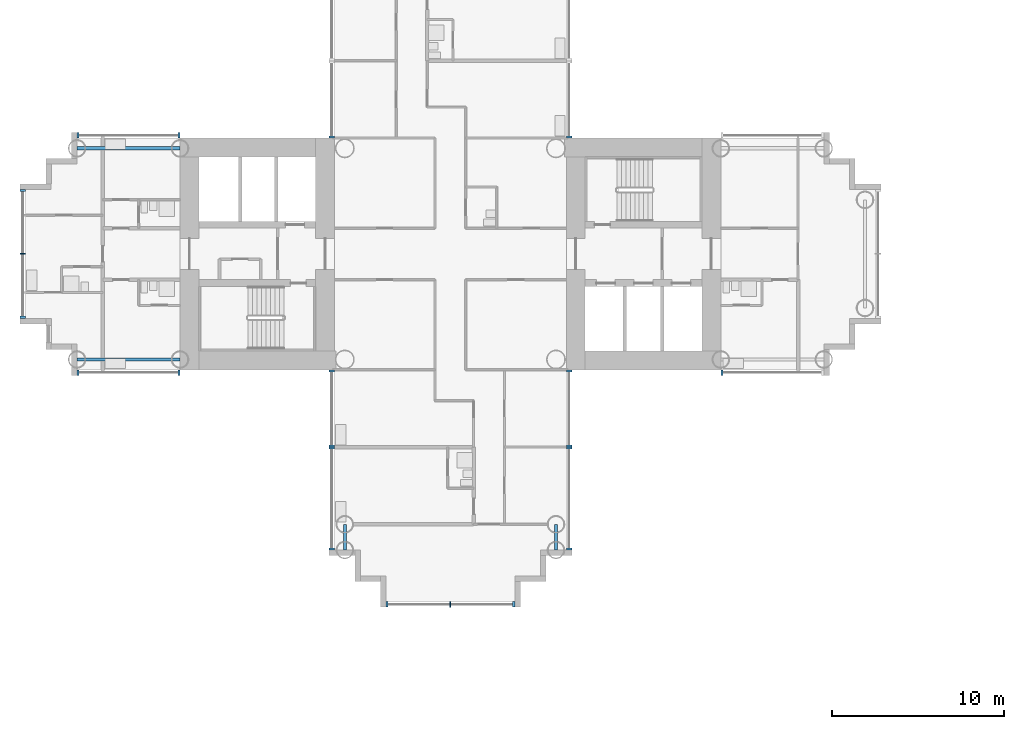
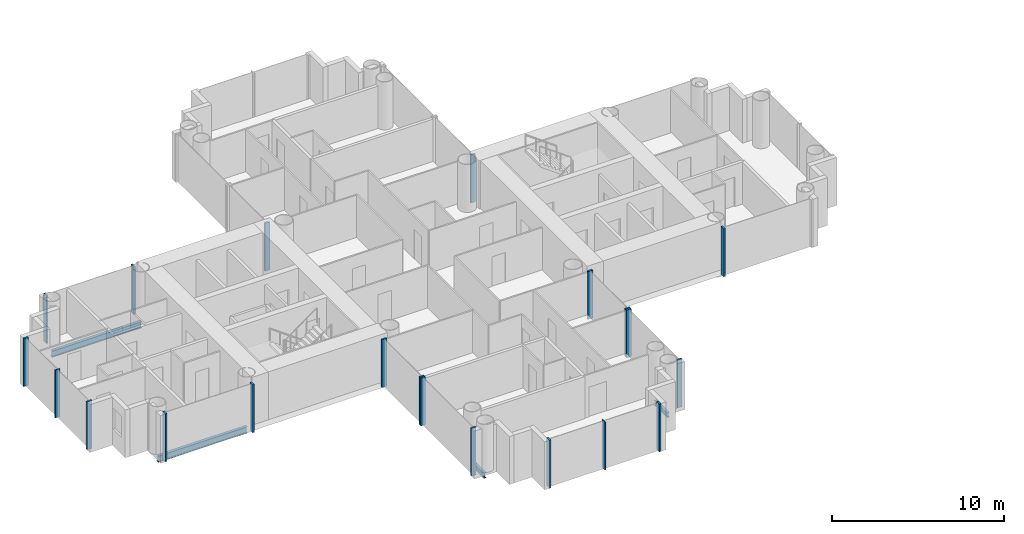
# One storey, part 3 of 21: 21 members, 4 beams, 11 elements without a shape of their own.
"""IFC4 building model written with IfcOpenShell, lengths in metres."""

from ifc_helpers import new_model, si_unit, direction, frame, origin, origin_2d, place, context, subcontext, project, spatial, rectangle, i_section, extrude, material, layer, layer_set, material_profile, profile_set, type_object, element, aggregate, save


model = new_model("IFC4")

# Units and contexts
model_context = context("Model", 3, precision=1e-05, world=origin(), true_north=direction((0.0, 1.0)))
body_context = subcontext(model_context, "Body", "Model", "MODEL_VIEW")
ifc_project = project(units=[si_unit("LENGTHUNIT", "METRE"), si_unit("AREAUNIT", "SQUARE_METRE"), si_unit("VOLUMEUNIT", "CUBIC_METRE"), si_unit("PLANEANGLEUNIT", "RADIAN"), si_unit("MASSUNIT", "GRAM", prefix="KILO")], contexts=[model_context])

# Site, building, storey
site_placement = place(None, origin())
site = spatial("IfcSite", under=ifc_project, at=site_placement, CompositionType="ELEMENT")
building_placement = place(site_placement, origin())
building = spatial("IfcBuilding", under=site, at=building_placement, Name="Ipe Terrace Towers", CompositionType="ELEMENT")
storey_placement = place(building_placement, frame((0.0, 0.0, 34.699951171875)))
storey = spatial("IfcBuildingStorey", under=building, at=storey_placement, Name="L08", CompositionType="ELEMENT", Elevation=34.699951171875)

# Beams
ifc_material_1 = material(Name="Steel S355", Category="steel")
ifc_material_profile_1 = material_profile(ifc_material_1, i_section(OverallWidth=0.175048828125, OverallDepth=0.35009765625, WebThickness=0.007080078125, FlangeThickness=0.010986328125, at=origin_2d()), Name="H-350x175x7x11")
ifc_profile_set_1 = profile_set([ifc_material_profile_1], Name="Steel S355")
beam_type_1 = type_object("IfcBeamType", Name="H04 EDGE BEAM H-350x175x7x11", PredefinedType="BEAM", material=ifc_profile_set_1)
for number, where, z_axis, x_axis, name in (
    (1, (-42.14990234375, -15.75, -0.574951171875), (0.0, -1.0, 0.0), (1.0, 0.0, 0.0), "Edge beam T1-EB-D03-D05"),
    (2, (-29.85009765625, -15.75, -0.574951171875), (0.0, -1.0, 0.0), (1.0, 0.0, 0.0), "Edge beam T1-EB-D04-D06"),
):
    element("IfcBeam", number, at=place(storey_placement, frame(where, z_axis=z_axis, x_axis=x_axis)), inside=storey, type_object=beam_type_1, Name=name, PredefinedType="BEAM", context=body_context, shape_type="SweptSolid", body=[
        extrude(i_section(OverallWidth=0.175048828125, OverallDepth=0.35009765625, WebThickness=0.007080078125, FlangeThickness=0.010986328125, at=origin_2d()), origin(), (0.0, 0.0, 1.0), 1.5),
    ])
ifc_material_2 = material(Name="Steel S355", Category="steel")
ifc_material_profile_2 = material_profile(ifc_material_2, i_section(OverallWidth=0.199951171875, OverallDepth=0.449951171875, WebThickness=0.009033203125, FlangeThickness=0.013916015625, at=origin_2d()), Name="H-450x200x9x14")
ifc_profile_set_2 = profile_set([ifc_material_profile_2], Name="Steel S355")
beam_type_2 = type_object("IfcBeamType", Name="H08 EDGE BEAM H-450x200x9x14", PredefinedType="BEAM", material=ifc_profile_set_2)
for number, where, z_axis, x_axis, name in (
    (3, (-51.75, -6.14990234375, -0.625), (-1.0, 0.0, 0.0), (0.0, -1.0, 0.0), "Edge beam T1-EB-C01-C03"),
    (4, (-51.75, 6.14990234375, -0.625), (-1.0, 0.0, 0.0), (0.0, -1.0, 0.0), "Edge beam T1-EB-C02-C04"),
):
    element("IfcBeam", number, at=place(storey_placement, frame(where, z_axis=z_axis, x_axis=x_axis)), inside=storey, type_object=beam_type_2, Name=name, PredefinedType="BEAM", context=body_context, shape_type="SweptSolid", body=[
        extrude(i_section(OverallWidth=0.199951171875, OverallDepth=0.449951171875, WebThickness=0.009033203125, FlangeThickness=0.013916015625, at=origin_2d()), origin(), (0.0, 0.0, 1.0), 6.0),
    ])

# Curtain wall, members
ifc_material_3 = material(Name="Aluminium alloy 6063-T6", Category="aluminium")
ifc_layer = layer(ifc_material_3, 0.320068359375)
ifc_layer_set = layer_set([ifc_layer], Name="TOWER UNITISED CURTAIN WALL")
curtain_wall_type = type_object("IfcCurtainWallType", Name="TOWER UNITISED CURTAIN WALL", PredefinedType="NOTDEFINED", material=ifc_layer_set)
curtain_wall_1_placement = place(storey_placement, origin())
curtain_wall_1 = element("IfcCurtainWall", 5, at=curtain_wall_1_placement, inside=storey, type_object=curtain_wall_type, Name="T1-CW-L08-04a curtain wall", PredefinedType="NOTDEFINED")
ifc_material_4 = material(Name="Aluminium alloy 6063-T6", Category="aluminium")
ifc_material_profile_3 = material_profile(ifc_material_4, rectangle(XDim=0.320068359375, YDim=0.1201171875, at=origin_2d()), Name="TOWER UNITISED CORNER MULLION 320 x 120")
ifc_profile_set_3 = profile_set([ifc_material_profile_3], Name="Aluminium alloy 6063-T6")
member_type_1 = type_object("IfcMemberType", Name="TOWER UNITISED CORNER MULLION 320 x 120", PredefinedType="MULLION", material=ifc_profile_set_3)
member_1_placement = place(storey_placement, frame((-57.68994140625, -6.909912109375, -0.300048828125), z_axis=(0.0, 0.0, 1.0), x_axis=(0.0, -1.0, 0.0)))
member_1 = element("IfcMember", 6, at=member_1_placement, type_object=member_type_1, Name="T1-CW-L08-04a mullion 1", PredefinedType="MULLION", context=body_context, shape_type="SweptSolid", body=[
    extrude(rectangle(XDim=0.320068359375, YDim=0.1201171875, at=origin_2d()), origin(), (0.0, 0.0, 1.0), 3.400146484375),
])
member_2_placement = place(storey_placement, frame((-51.81103515625, -6.909912109375, -0.300048828125), z_axis=(0.0, 0.0, 1.0), x_axis=(0.0, -1.0, 0.0)))
member_2 = element("IfcMember", 7, at=member_2_placement, type_object=member_type_1, Name="T1-CW-L08-04a mullion 2", PredefinedType="MULLION", context=body_context, shape_type="SweptSolid", body=[
    extrude(rectangle(XDim=0.320068359375, YDim=0.1201171875, at=origin_2d()), origin(), (0.0, 0.0, 1.0), 3.400146484375),
])
aggregate(curtain_wall_1, [member_1, member_2])

curtain_wall_2_placement = place(storey_placement, origin())
curtain_wall_2 = element("IfcCurtainWall", 8, at=curtain_wall_2_placement, inside=storey, type_object=curtain_wall_type, Name="T1-CW-L08-06a curtain wall", PredefinedType="NOTDEFINED")
member_3_placement = place(storey_placement, frame((-42.909912109375, -6.81005859375, -0.300048828125), z_axis=(0.0, 0.0, 1.0), x_axis=(-1.0, 0.0, 0.0)))
member_3 = element("IfcMember", 9, at=member_3_placement, type_object=member_type_1, Name="T1-CW-L08-06a mullion 1", PredefinedType="MULLION", context=body_context, shape_type="SweptSolid", body=[
    extrude(rectangle(XDim=0.320068359375, YDim=0.1201171875, at=origin_2d()), origin(), (0.0, 0.0, 1.0), 3.400146484375),
])
member_4_placement = place(storey_placement, frame((-42.909912109375, -11.18994140625, -0.300048828125), z_axis=(0.0, 0.0, 1.0), x_axis=(-1.0, 0.0, 0.0)))
member_4 = element("IfcMember", 10, at=member_4_placement, type_object=member_type_1, Name="T1-CW-L08-06a mullion 2", PredefinedType="MULLION", context=body_context, shape_type="SweptSolid", body=[
    extrude(rectangle(XDim=0.320068359375, YDim=0.1201171875, at=origin_2d()), origin(), (0.0, 0.0, 1.0), 3.400146484375),
])
aggregate(curtain_wall_2, [member_3, member_4])

curtain_wall_3_placement = place(storey_placement, origin())
curtain_wall_3 = element("IfcCurtainWall", 11, at=curtain_wall_3_placement, inside=storey, type_object=curtain_wall_type, Name="T1-CW-L08-07a curtain wall", PredefinedType="NOTDEFINED")
member_5_placement = place(storey_placement, frame((-42.909912109375, -11.31005859375, -0.300048828125), z_axis=(0.0, 0.0, 1.0), x_axis=(-1.0, 0.0, 0.0)))
member_5 = element("IfcMember", 12, at=member_5_placement, type_object=member_type_1, Name="T1-CW-L08-07a mullion 1", PredefinedType="MULLION", context=body_context, shape_type="SweptSolid", body=[
    extrude(rectangle(XDim=0.320068359375, YDim=0.1201171875, at=origin_2d()), origin(), (0.0, 0.0, 1.0), 3.400146484375),
])
member_6_placement = place(storey_placement, frame((-42.909912109375, -17.18994140625, -0.300048828125), z_axis=(0.0, 0.0, 1.0), x_axis=(-1.0, 0.0, 0.0)))
member_6 = element("IfcMember", 13, at=member_6_placement, type_object=member_type_1, Name="T1-CW-L08-07a mullion 2", PredefinedType="MULLION", context=body_context, shape_type="SweptSolid", body=[
    extrude(rectangle(XDim=0.320068359375, YDim=0.1201171875, at=origin_2d()), origin(), (0.0, 0.0, 1.0), 3.400146484375),
])
aggregate(curtain_wall_3, [member_5, member_6])

curtain_wall_4_placement = place(storey_placement, origin())
curtain_wall_4 = element("IfcCurtainWall", 14, at=curtain_wall_4_placement, inside=storey, type_object=curtain_wall_type, Name="T1-CW-L08-12a curtain wall", PredefinedType="NOTDEFINED")
member_7_placement = place(storey_placement, frame((-39.68994140625, -20.409912109375, -0.300048828125), z_axis=(0.0, 0.0, 1.0), x_axis=(0.0, -1.0, 0.0)))
member_7 = element("IfcMember", 15, at=member_7_placement, type_object=member_type_1, Name="T1-CW-L08-12a mullion 1", PredefinedType="MULLION", context=body_context, shape_type="SweptSolid", body=[
    extrude(rectangle(XDim=0.320068359375, YDim=0.1201171875, at=origin_2d()), origin(), (0.0, 0.0, 1.0), 3.400146484375),
])
member_8_placement = place(storey_placement, frame((-32.31005859375, -20.409912109375, -0.300048828125), z_axis=(0.0, 0.0, 1.0), x_axis=(0.0, -1.0, 0.0)))
member_8 = element("IfcMember", 16, at=member_8_placement, type_object=member_type_1, Name="T1-CW-L08-12a mullion 3", PredefinedType="MULLION", context=body_context, shape_type="SweptSolid", body=[
    extrude(rectangle(XDim=0.320068359375, YDim=0.1201171875, at=origin_2d()), origin(), (0.0, 0.0, 1.0), 3.400146484375),
])

curtain_wall_5_placement = place(storey_placement, origin())
curtain_wall_5 = element("IfcCurtainWall", 17, at=curtain_wall_5_placement, inside=storey, type_object=curtain_wall_type, Name="T1-CW-L08-17a curtain wall", PredefinedType="NOTDEFINED")
member_9_placement = place(storey_placement, frame((-29.090087890625, -17.18994140625, -0.300048828125), z_axis=(0.0, 0.0, 1.0), x_axis=(1.0, 0.0, 0.0)))
member_9 = element("IfcMember", 18, at=member_9_placement, type_object=member_type_1, Name="T1-CW-L08-17a mullion 1", PredefinedType="MULLION", context=body_context, shape_type="SweptSolid", body=[
    extrude(rectangle(XDim=0.320068359375, YDim=0.1201171875, at=origin_2d()), origin(), (0.0, 0.0, 1.0), 3.400146484375),
])
member_10_placement = place(storey_placement, frame((-29.090087890625, -11.31005859375, -0.300048828125), z_axis=(0.0, 0.0, 1.0), x_axis=(1.0, 0.0, 0.0)))
member_10 = element("IfcMember", 19, at=member_10_placement, type_object=member_type_1, Name="T1-CW-L08-17a mullion 2", PredefinedType="MULLION", context=body_context, shape_type="SweptSolid", body=[
    extrude(rectangle(XDim=0.320068359375, YDim=0.1201171875, at=origin_2d()), origin(), (0.0, 0.0, 1.0), 3.400146484375),
])
aggregate(curtain_wall_5, [member_9, member_10])

curtain_wall_6_placement = place(storey_placement, origin())
curtain_wall_6 = element("IfcCurtainWall", 20, at=curtain_wall_6_placement, inside=storey, type_object=curtain_wall_type, Name="T1-CW-L08-18a curtain wall", PredefinedType="NOTDEFINED")
member_11_placement = place(storey_placement, frame((-29.090087890625, -11.18994140625, -0.300048828125), z_axis=(0.0, 0.0, 1.0), x_axis=(1.0, 0.0, 0.0)))
member_11 = element("IfcMember", 21, at=member_11_placement, type_object=member_type_1, Name="T1-CW-L08-18a mullion 1", PredefinedType="MULLION", context=body_context, shape_type="SweptSolid", body=[
    extrude(rectangle(XDim=0.320068359375, YDim=0.1201171875, at=origin_2d()), origin(), (0.0, 0.0, 1.0), 3.400146484375),
])
member_12_placement = place(storey_placement, frame((-29.090087890625, -6.81005859375, -0.300048828125), z_axis=(0.0, 0.0, 1.0), x_axis=(1.0, 0.0, 0.0)))
member_12 = element("IfcMember", 22, at=member_12_placement, type_object=member_type_1, Name="T1-CW-L08-18a mullion 2", PredefinedType="MULLION", context=body_context, shape_type="SweptSolid", body=[
    extrude(rectangle(XDim=0.320068359375, YDim=0.1201171875, at=origin_2d()), origin(), (0.0, 0.0, 1.0), 3.400146484375),
])
aggregate(curtain_wall_6, [member_11, member_12])

# Curtain wall, member
curtain_wall_7_placement = place(storey_placement, origin())
curtain_wall_7 = element("IfcCurtainWall", 23, at=curtain_wall_7_placement, inside=storey, type_object=curtain_wall_type, Name="T1-CW-L08-20b curtain wall", PredefinedType="NOTDEFINED")
member_13_placement = place(storey_placement, frame((-20.18896484375, -6.909912109375, -0.300048828125), z_axis=(0.0, 0.0, 1.0), x_axis=(0.0, -1.0, 0.0)))
member_13 = element("IfcMember", 24, at=member_13_placement, type_object=member_type_1, Name="T1-CW-L08-20b mullion 1", PredefinedType="MULLION", context=body_context, shape_type="SweptSolid", body=[
    extrude(rectangle(XDim=0.320068359375, YDim=0.1201171875, at=origin_2d()), origin(), (0.0, 0.0, 1.0), 3.400146484375),
])
aggregate(curtain_wall_7, [member_13])

curtain_wall_8_placement = place(storey_placement, origin())
curtain_wall_8 = element("IfcCurtainWall", 25, at=curtain_wall_8_placement, inside=storey, type_object=curtain_wall_type, Name="T1-CW-L08-32a curtain wall", PredefinedType="NOTDEFINED")
member_14_placement = place(storey_placement, frame((-29.090087890625, 6.81005859375, -0.300048828125), z_axis=(0.0, 0.0, 1.0), x_axis=(1.0, 0.0, 0.0)))
member_14 = element("IfcMember", 26, at=member_14_placement, type_object=member_type_1, Name="T1-CW-L08-32a mullion 1", PredefinedType="MULLION", context=body_context, shape_type="SweptSolid", body=[
    extrude(rectangle(XDim=0.320068359375, YDim=0.1201171875, at=origin_2d()), origin(), (0.0, 0.0, 1.0), 3.400146484375),
])
aggregate(curtain_wall_8, [member_14])

curtain_wall_9_placement = place(storey_placement, origin())
curtain_wall_9 = element("IfcCurtainWall", 27, at=curtain_wall_9_placement, inside=storey, type_object=curtain_wall_type, Name="T1-CW-L08-44a curtain wall", PredefinedType="NOTDEFINED")
member_15_placement = place(storey_placement, frame((-42.909912109375, 6.81005859375, -0.300048828125), z_axis=(0.0, 0.0, 1.0), x_axis=(-1.0, 0.0, 0.0)))
member_15 = element("IfcMember", 28, at=member_15_placement, type_object=member_type_1, Name="T1-CW-L08-44a mullion 2", PredefinedType="MULLION", context=body_context, shape_type="SweptSolid", body=[
    extrude(rectangle(XDim=0.320068359375, YDim=0.1201171875, at=origin_2d()), origin(), (0.0, 0.0, 1.0), 3.400146484375),
])
aggregate(curtain_wall_9, [member_15])

# Curtain wall, members
curtain_wall_10_placement = place(storey_placement, origin())
curtain_wall_10 = element("IfcCurtainWall", 29, at=curtain_wall_10_placement, inside=storey, type_object=curtain_wall_type, Name="T1-CW-L08-46b curtain wall", PredefinedType="NOTDEFINED")
member_16_placement = place(storey_placement, frame((-51.81103515625, 6.909912109375, -0.300048828125), z_axis=(0.0, 0.0, 1.0), x_axis=(0.0, 1.0, 0.0)))
member_16 = element("IfcMember", 30, at=member_16_placement, type_object=member_type_1, Name="T1-CW-L08-46b mullion 1", PredefinedType="MULLION", context=body_context, shape_type="SweptSolid", body=[
    extrude(rectangle(XDim=0.320068359375, YDim=0.1201171875, at=origin_2d()), origin(), (0.0, 0.0, 1.0), 3.400146484375),
])
member_17_placement = place(storey_placement, frame((-57.68994140625, 6.909912109375, -0.300048828125), z_axis=(0.0, 0.0, 1.0), x_axis=(0.0, 1.0, 0.0)))
member_17 = element("IfcMember", 31, at=member_17_placement, type_object=member_type_1, Name="T1-CW-L08-46b mullion 2", PredefinedType="MULLION", context=body_context, shape_type="SweptSolid", body=[
    extrude(rectangle(XDim=0.320068359375, YDim=0.1201171875, at=origin_2d()), origin(), (0.0, 0.0, 1.0), 3.400146484375),
])
aggregate(curtain_wall_10, [member_16, member_17])

curtain_wall_11_placement = place(storey_placement, origin())
curtain_wall_11 = element("IfcCurtainWall", 32, at=curtain_wall_11_placement, inside=storey, type_object=curtain_wall_type, Name="T1-CW-L08-51a curtain wall", PredefinedType="NOTDEFINED")
member_18_placement = place(storey_placement, frame((-60.909912109375, 3.68994140625, -0.300048828125), z_axis=(0.0, 0.0, 1.0), x_axis=(-1.0, 0.0, 0.0)))
member_18 = element("IfcMember", 33, at=member_18_placement, type_object=member_type_1, Name="T1-CW-L08-51a mullion 1", PredefinedType="MULLION", context=body_context, shape_type="SweptSolid", body=[
    extrude(rectangle(XDim=0.320068359375, YDim=0.1201171875, at=origin_2d()), origin(), (0.0, 0.0, 1.0), 3.400146484375),
])
member_19_placement = place(storey_placement, frame((-60.909912109375, -3.68994140625, -0.300048828125), z_axis=(0.0, 0.0, 1.0), x_axis=(-1.0, 0.0, 0.0)))
member_19 = element("IfcMember", 34, at=member_19_placement, type_object=member_type_1, Name="T1-CW-L08-51a mullion 3", PredefinedType="MULLION", context=body_context, shape_type="SweptSolid", body=[
    extrude(rectangle(XDim=0.320068359375, YDim=0.1201171875, at=origin_2d()), origin(), (0.0, 0.0, 1.0), 3.400146484375),
])

# Member
ifc_material_5 = material(Name="Aluminium alloy 6063-T6", Category="aluminium")
ifc_material_profile_4 = material_profile(ifc_material_5, rectangle(XDim=0.320068359375, YDim=0.06494140625, at=origin_2d()), Name="TOWER UNITISED MULLION 320 x 65")
ifc_profile_set_4 = profile_set([ifc_material_profile_4], Name="Aluminium alloy 6063-T6")
member_type_2 = type_object("IfcMemberType", Name="TOWER UNITISED MULLION 320 x 65", PredefinedType="MULLION", material=ifc_profile_set_4)
member_20_placement = place(storey_placement, frame((-36.0, -20.409912109375, -0.300048828125), z_axis=(0.0, 0.0, 1.0), x_axis=(0.0, -1.0, 0.0)))
member_20 = element("IfcMember", 35, at=member_20_placement, type_object=member_type_2, Name="T1-CW-L08-12a mullion 2", PredefinedType="MULLION", context=body_context, shape_type="SweptSolid", body=[
    extrude(rectangle(XDim=0.320068359375, YDim=0.06494140625, at=origin_2d()), origin(), (0.0, 0.0, 1.0), 3.400146484375),
])

aggregate(curtain_wall_4, [member_7, member_20, member_8])

member_21_placement = place(storey_placement, frame((-60.909912109375, 0.0, -0.300048828125), z_axis=(0.0, 0.0, 1.0), x_axis=(-1.0, 0.0, 0.0)))
member_21 = element("IfcMember", 36, at=member_21_placement, type_object=member_type_2, Name="T1-CW-L08-51a mullion 2", PredefinedType="MULLION", context=body_context, shape_type="SweptSolid", body=[
    extrude(rectangle(XDim=0.320068359375, YDim=0.06494140625, at=origin_2d()), origin(), (0.0, 0.0, 1.0), 3.400146484375),
])

aggregate(curtain_wall_11, [member_18, member_21, member_19])

save(model, "model.ifc")
